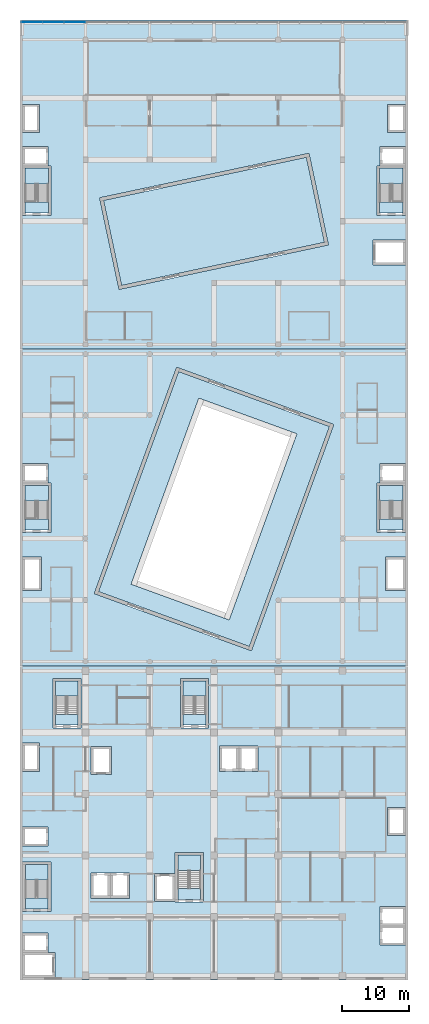
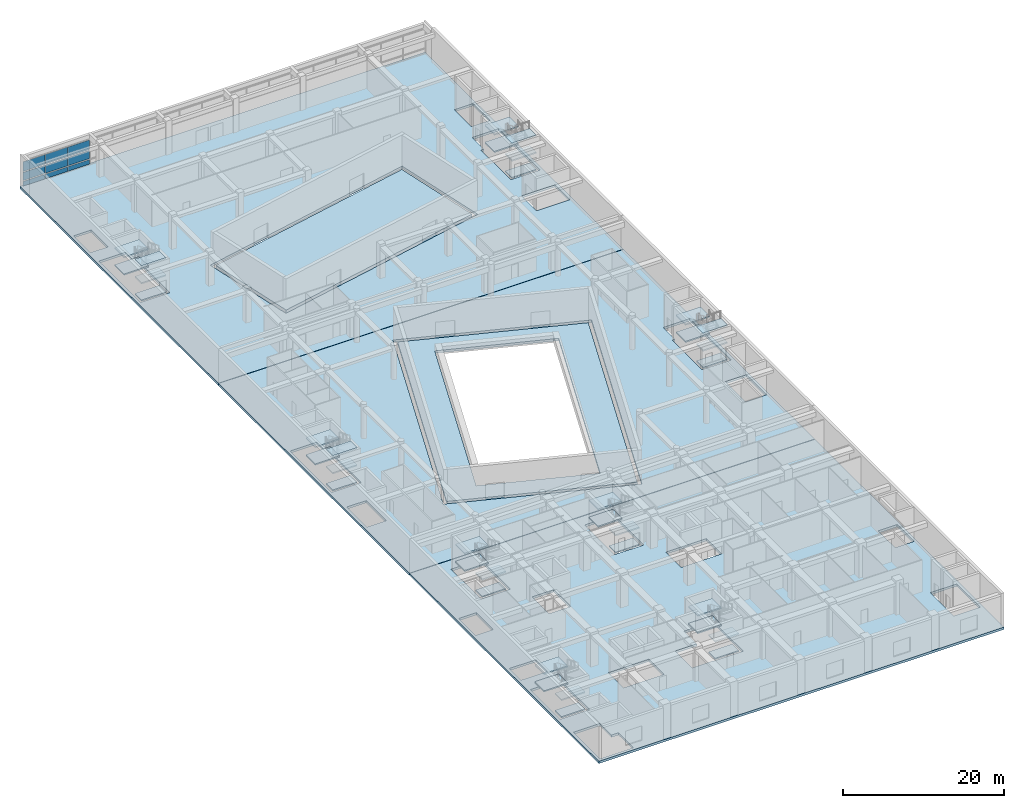
# One storey, part 6 of 31: 41 slabs, 9 plates, 9 elements without a shape of their own.
"""IFC4 building model written with IfcOpenShell, lengths in metres."""

import ifcopenshell
import ifcopenshell.guid

model = None  # the IFC model being written
_history = None  # IfcOwnerHistory: only IFC2X3 demands one
_inside = {}  # id of a spatial element -> (the spatial element, [elements in it])
_under = {}  # id of a project, library or spatial element -> (it, [spatial elements below it])
_declared = {}  # id of a project -> (the project, [libraries it declares])
_typed = {}  # id of a type object -> (the type object, [elements of that type])
_made_of = {}  # id of a material, layer set ... -> (it, [elements and type objects made of it])


def new_model(schema):
    """Start an empty IFC model of exactly this schema.

    Asked for "IFC4X3", IfcOpenShell would pick the latest addendum, in which some entities
    have other attributes; the version numbers below select the first issue.
    IFC2X3 requires an IfcOwnerHistory on every rooted entity: one is made here for all.
    """
    global model, _history
    if schema == "IFC4X3":
        model = ifcopenshell.file(schema_version=(4, 3, 0, 0))
    else:
        model = ifcopenshell.file(schema=schema)
    _inside.clear()
    _under.clear()
    _declared.clear()
    _typed.clear()
    _made_of.clear()
    _history = None
    if model.schema == "IFC2X3":
        org = make("IfcOrganization", Name="unknown")
        user = make(
            "IfcPersonAndOrganization",
            ThePerson=make("IfcPerson", FamilyName="unknown"),
            TheOrganization=org,
        )
        app = make(
            "IfcApplication",
            ApplicationDeveloper=org,
            Version="unknown",
            ApplicationFullName="unknown",
            ApplicationIdentifier="unknown",
        )
        _history = make(
            "IfcOwnerHistory",
            OwningUser=user,
            OwningApplication=app,
            ChangeAction="ADDED",
            CreationDate=0,
        )
    return model


def make(cls, **values):
    """One entity of the class cls with the attributes given. An attribute that is None is left unset."""
    return model.create_entity(
        cls, **{name: value for name, value in values.items() if value is not None}
    )


def rooted(cls, **values):
    """An entity with a GlobalId (a new one), such as an element, a storey or a relation."""
    return make(cls, GlobalId=ifcopenshell.guid.new(), OwnerHistory=_history, **values)


def si_unit(unit_type, name, prefix=None):
    """IfcSIUnit, for example si_unit("LENGTHUNIT", "METRE", prefix="MILLI")."""
    return make("IfcSIUnit", UnitType=unit_type, Prefix=prefix, Name=name)


def assignment(units):
    """IfcUnitAssignment: the units of a project."""
    return None if units is None else make("IfcUnitAssignment", Units=units)


def point(xyz):
    """IfcCartesianPoint."""
    return None if xyz is None else make("IfcCartesianPoint", Coordinates=xyz)


def direction(xyz):
    """IfcDirection."""
    return None if xyz is None else make("IfcDirection", DirectionRatios=xyz)


def frame(location, z_axis=None, x_axis=None):
    """IfcAxis2Placement3D, a coordinate frame: its origin and axes. An axis left out is left unset."""
    return make(
        "IfcAxis2Placement3D",
        Location=point(location),
        Axis=direction(z_axis),
        RefDirection=direction(x_axis),
    )


def frame_2d(location, x_axis=None):
    """IfcAxis2Placement2D, a coordinate frame in the plane: its origin and x axis."""
    return make(
        "IfcAxis2Placement2D", Location=point(location), RefDirection=direction(x_axis)
    )


def origin():
    """The frame at (0, 0, 0) with its axes left unset."""
    return frame((0.0, 0.0, 0.0))


def origin_2d():
    """The frame at (0, 0) in the plane with its x axis left unset."""
    return frame_2d((0.0, 0.0))


def place(relative_to, where):
    """IfcLocalPlacement: puts the frame where relative to a parent placement (None: the world)."""
    return make(
        "IfcLocalPlacement", PlacementRelTo=relative_to, RelativePlacement=where
    )


def context(
    kind, dimensions, precision=None, world=None, true_north=None, identifier=None
):
    """IfcGeometricRepresentationContext, for example the 3D "Model" context."""
    return make(
        "IfcGeometricRepresentationContext",
        ContextIdentifier=identifier,
        ContextType=kind,
        CoordinateSpaceDimension=dimensions,
        Precision=precision,
        WorldCoordinateSystem=world,
        TrueNorth=true_north,
    )


def subcontext(parent, identifier, kind, view, scale=None):
    """IfcGeometricRepresentationSubContext, for example "Body" below "Model"."""
    return make(
        "IfcGeometricRepresentationSubContext",
        ContextIdentifier=identifier,
        ContextType=kind,
        ParentContext=parent,
        TargetScale=scale,
        TargetView=view,
    )


def project(units=None, contexts=None):
    """IfcProject with its units and contexts."""
    return rooted(
        "IfcProject",
        Name="project",
        RepresentationContexts=contexts,
        UnitsInContext=assignment(units),
    )


def spatial(cls, under=None, at=None, **own):
    """A site, building, storey or space (cls), placed at a placement, below another one or the project."""
    s = rooted(cls, ObjectPlacement=at, **own)
    if under is not None:
        _under.setdefault(under.id(), (under, []))[1].append(s)
    return s


def polyline(points):
    """IfcPolyline through the points."""
    return make("IfcPolyline", Points=[point(p) for p in points])


def profile(cls, at=None, kind="AREA", **sizes):
    """A parametric profile (cls). Its sizes go by their IFC names, for example OverallWidth=200.0."""
    return make(cls, ProfileType=kind, Position=at, **sizes)


def rectangle(**sizes):
    """IfcRectangleProfileDef."""
    return profile("IfcRectangleProfileDef", **sizes)


def outline(outer, holes=None, kind="AREA"):
    """IfcArbitraryClosedProfileDef: a profile drawn as a closed curve; with holes, ...WithVoids."""
    if holes is None:
        return make("IfcArbitraryClosedProfileDef", ProfileType=kind, OuterCurve=outer)
    return make(
        "IfcArbitraryProfileDefWithVoids",
        ProfileType=kind,
        OuterCurve=outer,
        InnerCurves=holes,
    )


def extrude(swept, where, along, depth):
    """IfcExtrudedAreaSolid: the profile swept, set in the frame where, extruded along a direction by depth."""
    return make(
        "IfcExtrudedAreaSolid",
        SweptArea=swept,
        Position=where,
        ExtrudedDirection=direction(along),
        Depth=depth,
    )


def shape(context_of_items, identifier, shape_type, items):
    """IfcShapeRepresentation: the items that make up one representation, for example the "Body"."""
    return make(
        "IfcShapeRepresentation",
        ContextOfItems=context_of_items,
        RepresentationIdentifier=identifier,
        RepresentationType=shape_type,
        Items=items,
    )


def material(Name=None, Category=None):
    """IfcMaterial."""
    return make("IfcMaterial", Name=Name, Category=Category)


def layer(
    of_material, thickness, ventilated=None, Name=None, Category=None, Priority=None
):
    """IfcMaterialLayer: one layer of a wall or slab, of a material (None: an air gap)."""
    return make(
        "IfcMaterialLayer",
        Material=of_material,
        LayerThickness=thickness,
        IsVentilated=ventilated,
        Name=Name,
        Category=Category,
        Priority=Priority,
    )


def layer_set(layers, Name=None):
    """IfcMaterialLayerSet."""
    return make("IfcMaterialLayerSet", MaterialLayers=layers, LayerSetName=Name)


def made_of(thing, what):
    """Note that an element or type object is made of a material, layer set ...; save() writes the relation."""
    if what is not None:
        _made_of.setdefault(what.id(), (what, []))[1].append(thing)
    return thing


def type_object(cls, material=None, **own):
    """A type object (cls), such as IfcWallType, which elements share."""
    return made_of(rooted(cls, **own), material)


def element(
    cls,
    number,
    at=None,
    inside=None,
    cuts=None,
    type_object=None,
    material=None,
    context=None,
    identifier="Body",
    shape_type=None,
    held_by="IfcProductDefinitionShape",
    body=None,
    shapes=None,
    **own,
):
    """One element of the class cls, such as IfcWall. Its Tag is "e" and its number.

    at: its placement. inside: the storey or other place that contains it. cuts: it is an
    opening in that element (IfcRelVoidsElement). A single representation is given by context,
    identifier, shape_type and body (its items); several are given by shapes. held_by: the class
    of the entity that holds the representations. save() writes the other relations.
    """
    e = rooted(cls, Tag="e%d" % number, ObjectPlacement=at, **own)
    if body is not None:
        shapes = [shape(context, identifier, shape_type, body)]
    if shapes is not None:
        e.Representation = make(held_by, Representations=shapes)
    if inside is not None:
        _inside.setdefault(inside.id(), (inside, []))[1].append(e)
    if cuts is not None:
        rooted(
            "IfcRelVoidsElement", RelatingBuildingElement=cuts, RelatedOpeningElement=e
        )
    if type_object is not None:
        _typed.setdefault(type_object.id(), (type_object, []))[1].append(e)
    return made_of(e, material)


def aggregate(whole, parts):
    """IfcRelAggregates: a whole, such as a stair, and the parts it consists of."""
    return rooted("IfcRelAggregates", RelatingObject=whole, RelatedObjects=parts)


def save(model, path):
    """Write the relations noted so far, then the file.

    IfcRelAggregates (storeys below a building ...), IfcRelContainedInSpatialStructure (elements
    in a storey), IfcRelDefinesByType, IfcRelAssociatesMaterial and IfcRelDeclares: one each for
    every whole, place, type object, material and project.
    """
    for whole, parts in _under.values():
        aggregate(whole, parts)
    for where, things in _inside.values():
        rooted(
            "IfcRelContainedInSpatialStructure",
            RelatedElements=things,
            RelatingStructure=where,
        )
    for kind, things in _typed.values():
        rooted("IfcRelDefinesByType", RelatedObjects=things, RelatingType=kind)
    for what, things in _made_of.values():
        rooted("IfcRelAssociatesMaterial", RelatedObjects=things, RelatingMaterial=what)
    for by, libraries in _declared.values():
        rooted("IfcRelDeclares", RelatingContext=by, RelatedDefinitions=libraries)
    model.write(path)


model = new_model("IFC4")

# Units and contexts
model_context = context("Model", 3, precision=1e-05, world=origin(), true_north=direction((0.0, 1.0)))
body_context = subcontext(model_context, "Body", "Model", "MODEL_VIEW")
ifc_project = project(units=[si_unit("LENGTHUNIT", "METRE"), si_unit("AREAUNIT", "SQUARE_METRE"), si_unit("VOLUMEUNIT", "CUBIC_METRE"), si_unit("PLANEANGLEUNIT", "RADIAN"), si_unit("MASSUNIT", "GRAM", prefix="KILO")], contexts=[model_context])

# Site, building, storey
site_placement = place(None, origin())
site = spatial("IfcSite", under=ifc_project, at=site_placement, CompositionType="ELEMENT")
building_placement = place(site_placement, origin())
building = spatial("IfcBuilding", under=site, at=building_placement, Name="Nzadi Deep Aquarium and Research Tower", CompositionType="ELEMENT")
storey_placement = place(building_placement, frame((0.0, 0.0, 26.699951171875)))
storey = spatial("IfcBuildingStorey", under=building, at=storey_placement, Name="L04", CompositionType="ELEMENT", Elevation=26.699951171875)

# Curtain wall, plates
ifc_material_1 = material(Name="Aluminium unitised frame tall span", Category="aluminium")
ifc_layer_1 = layer(ifc_material_1, 0.35009765625)
ifc_layer_set_1 = layer_set([ifc_layer_1], Name="Aluminium unitised frame tall span")
curtain_wall_type = type_object("IfcCurtainWallType", Name="Curtain wall Podium 350", PredefinedType="NOTDEFINED", material=ifc_layer_set_1)
curtain_wall_placement = place(storey_placement, origin())
curtain_wall = element("IfcCurtainWall", 1, at=curtain_wall_placement, inside=storey, type_object=curtain_wall_type, Name="North cascade curtain wall L04", PredefinedType="NOTDEFINED")
ifc_material_2 = material(Name="Glass, clear low-iron", Category="glass")
ifc_layer_2 = layer(ifc_material_2, 0.0400390625)
ifc_layer_set_2 = layer_set([ifc_layer_2], Name="Glass, clear low-iron")
plate_type_1 = type_object("IfcPlateType", Name="Glazing panel 40 Podium", PredefinedType="CURTAIN_PANEL", material=ifc_layer_set_2)
plate_1_placement = place(storey_placement, frame((1.614990234375, 142.97509765625, 0.97021484375), z_axis=(0.0, 0.0, 1.0), x_axis=(1.0, 0.0, 0.0)))
plate_1 = element("IfcPlate", 2, at=plate_1_placement, type_object=plate_type_1, Name="CW256 panel 1.2", PredefinedType="CURTAIN_PANEL", context=body_context, shape_type="SweptSolid", body=[
    extrude(rectangle(XDim=3.110107421875, YDim=0.0400390625, at=origin_2d()), origin(), (0.0, 0.0, 1.0), 1.235107421875),
])
plate_2_placement = place(storey_placement, frame((1.614990234375, 142.97509765625, 2.34521484375), z_axis=(0.0, 0.0, 1.0), x_axis=(1.0, 0.0, 0.0)))
plate_2 = element("IfcPlate", 3, at=plate_2_placement, type_object=plate_type_1, Name="CW256 panel 1.3", PredefinedType="CURTAIN_PANEL", context=body_context, shape_type="SweptSolid", body=[
    extrude(rectangle(XDim=3.110107421875, YDim=0.0400390625, at=origin_2d()), origin(), (0.0, 0.0, 1.0), 1.465087890625),
])
plate_3_placement = place(storey_placement, frame((4.800048828125, 142.97509765625, 0.97021484375), z_axis=(0.0, 0.0, 1.0), x_axis=(1.0, 0.0, 0.0)))
plate_3 = element("IfcPlate", 4, at=plate_3_placement, type_object=plate_type_1, Name="CW256 panel 2.2", PredefinedType="CURTAIN_PANEL", context=body_context, shape_type="SweptSolid", body=[
    extrude(rectangle(XDim=3.139892578125, YDim=0.0400390625, at=origin_2d()), origin(), (0.0, 0.0, 1.0), 1.235107421875),
])
plate_4_placement = place(storey_placement, frame((4.800048828125, 142.97509765625, 2.34521484375), z_axis=(0.0, 0.0, 1.0), x_axis=(1.0, 0.0, 0.0)))
plate_4 = element("IfcPlate", 5, at=plate_4_placement, type_object=plate_type_1, Name="CW256 panel 2.3", PredefinedType="CURTAIN_PANEL", context=body_context, shape_type="SweptSolid", body=[
    extrude(rectangle(XDim=3.139892578125, YDim=0.0400390625, at=origin_2d()), origin(), (0.0, 0.0, 1.0), 1.465087890625),
])
plate_5_placement = place(storey_placement, frame((8.0, 142.97509765625, 0.97021484375), z_axis=(0.0, 0.0, 1.0), x_axis=(1.0, 0.0, 0.0)))
plate_5 = element("IfcPlate", 6, at=plate_5_placement, type_object=plate_type_1, Name="CW256 panel 3.2", PredefinedType="CURTAIN_PANEL", context=body_context, shape_type="SweptSolid", body=[
    extrude(rectangle(XDim=3.139892578125, YDim=0.0400390625, at=origin_2d()), origin(), (0.0, 0.0, 1.0), 1.235107421875),
])
plate_6_placement = place(storey_placement, frame((8.0, 142.97509765625, 2.34521484375), z_axis=(0.0, 0.0, 1.0), x_axis=(1.0, 0.0, 0.0)))
plate_6 = element("IfcPlate", 7, at=plate_6_placement, type_object=plate_type_1, Name="CW256 panel 3.3", PredefinedType="CURTAIN_PANEL", context=body_context, shape_type="SweptSolid", body=[
    extrude(rectangle(XDim=3.139892578125, YDim=0.0400390625, at=origin_2d()), origin(), (0.0, 0.0, 1.0), 1.465087890625),
])

# Stair, slabs
ifc_material_3 = material(Name="Concrete C35/45", Category="concrete")
stair_type = type_object("IfcStairType", Name="STAIR RETURN 3000", PredefinedType="NOTDEFINED", material=ifc_material_3)
stair_1_placement = place(storey_placement, origin())
stair_1 = element("IfcStair", 8, at=stair_1_placement, inside=storey, type_object=stair_type, Name="Stair ST-Z1-SW L04", PredefinedType="DOUBLE_RETURN_STAIR")
ifc_material_4 = material(Name="Concrete C35/45", Category="concrete")
ifc_layer_3 = layer(ifc_material_4, 0.199951171875)
ifc_layer_set_3 = layer_set([ifc_layer_3], Name="Concrete C35/45")
slab_type_1 = type_object("IfcSlabType", Name="LANDING 200", PredefinedType="LANDING", material=ifc_layer_set_3)
slab_1_placement = place(storey_placement, frame((0.0, 0.0, -0.199951171875)))
slab_1 = element("IfcSlab", 9, at=slab_1_placement, type_object=slab_type_1, Name="ST-Z1-SW landing 1", PredefinedType="LANDING", context=body_context, shape_type="SweptSolid", body=[
    extrude(outline(polyline([(0.60009765625, 10.449951171875), (4.0, 10.449951171875), (4.0, 12.070068359375), (0.60009765625, 12.070068359375), (0.60009765625, 10.449951171875)])), origin(), (0.0, 0.0, 1.0), 0.199951171875),
])
slab_2_placement = place(storey_placement, frame((0.0, 0.0, 1.10009765625)))
slab_2 = element("IfcSlab", 10, at=slab_2_placement, type_object=slab_type_1, Name="ST-Z1-SW landing 2", PredefinedType="LANDING", context=body_context, shape_type="SweptSolid", body=[
    extrude(outline(polyline([(0.60009765625, 14.77001953125), (4.0, 14.77001953125), (4.0, 17.050048828125), (0.60009765625, 17.050048828125), (0.60009765625, 14.77001953125)])), origin(), (0.0, 0.0, 1.0), 0.199951171875),
])
slab_3_placement = place(storey_placement, frame((0.0, 0.0, 2.400146484375)))
slab_3 = element("IfcSlab", 11, at=slab_3_placement, type_object=slab_type_1, Name="ST-Z1-SW landing 3", PredefinedType="LANDING", context=body_context, shape_type="SweptSolid", body=[
    extrude(outline(polyline([(0.60009765625, 10.449951171875), (4.0, 10.449951171875), (4.0, 12.070068359375), (0.60009765625, 12.070068359375), (0.60009765625, 10.449951171875)])), origin(), (0.0, 0.0, 1.0), 0.199951171875),
])
slab_4_placement = place(storey_placement, frame((0.0, 0.0, 3.699951171875)))
slab_4 = element("IfcSlab", 12, at=slab_4_placement, type_object=slab_type_1, Name="ST-Z1-SW landing 4", PredefinedType="LANDING", context=body_context, shape_type="SweptSolid", body=[
    extrude(outline(polyline([(0.60009765625, 14.77001953125), (4.0, 14.77001953125), (4.0, 17.050048828125), (0.60009765625, 17.050048828125), (0.60009765625, 14.77001953125)])), origin(), (0.0, 0.0, 1.0), 0.2001953125),
])
aggregate(stair_1, [slab_1, slab_2, slab_3, slab_4])

stair_2_placement = place(storey_placement, origin())
stair_2 = element("IfcStair", 13, at=stair_2_placement, inside=storey, type_object=stair_type, Name="Stair ST-Z1-SE L04", PredefinedType="DOUBLE_RETURN_STAIR")
slab_5_placement = place(storey_placement, frame((0.0, 0.0, -0.199951171875)))
slab_5 = element("IfcSlab", 14, at=slab_5_placement, type_object=slab_type_1, Name="ST-Z1-SE landing 1", PredefinedType="LANDING", context=body_context, shape_type="SweptSolid", body=[
    extrude(outline(polyline([(23.39990234375, 11.85009765625), (26.800048828125, 11.85009765625), (26.800048828125, 13.469970703125), (23.39990234375, 13.469970703125), (23.39990234375, 11.85009765625)])), origin(), (0.0, 0.0, 1.0), 0.199951171875),
])
slab_6_placement = place(storey_placement, frame((0.0, 0.0, 1.10009765625)))
slab_6 = element("IfcSlab", 15, at=slab_6_placement, type_object=slab_type_1, Name="ST-Z1-SE landing 2", PredefinedType="LANDING", context=body_context, shape_type="SweptSolid", body=[
    extrude(outline(polyline([(23.39990234375, 16.169921875), (26.800048828125, 16.169921875), (26.800048828125, 18.449951171875), (23.39990234375, 18.449951171875), (23.39990234375, 16.169921875)])), origin(), (0.0, 0.0, 1.0), 0.199951171875),
])
slab_7_placement = place(storey_placement, frame((0.0, 0.0, 2.400146484375)))
slab_7 = element("IfcSlab", 16, at=slab_7_placement, type_object=slab_type_1, Name="ST-Z1-SE landing 3", PredefinedType="LANDING", context=body_context, shape_type="SweptSolid", body=[
    extrude(outline(polyline([(23.39990234375, 11.85009765625), (26.800048828125, 11.85009765625), (26.800048828125, 13.469970703125), (23.39990234375, 13.469970703125), (23.39990234375, 11.85009765625)])), origin(), (0.0, 0.0, 1.0), 0.199951171875),
])
slab_8_placement = place(storey_placement, frame((0.0, 0.0, 3.699951171875)))
slab_8 = element("IfcSlab", 17, at=slab_8_placement, type_object=slab_type_1, Name="ST-Z1-SE landing 4", PredefinedType="LANDING", context=body_context, shape_type="SweptSolid", body=[
    extrude(outline(polyline([(23.39990234375, 16.169921875), (26.800048828125, 16.169921875), (26.800048828125, 18.449951171875), (23.39990234375, 18.449951171875), (23.39990234375, 16.169921875)])), origin(), (0.0, 0.0, 1.0), 0.2001953125),
])
aggregate(stair_2, [slab_5, slab_6, slab_7, slab_8])

stair_3_placement = place(storey_placement, origin())
stair_3 = element("IfcStair", 18, at=stair_3_placement, inside=storey, type_object=stair_type, Name="Stair ST-Z1-NW L04", PredefinedType="DOUBLE_RETURN_STAIR")
slab_9_placement = place(storey_placement, frame((0.0, 0.0, -0.199951171875)))
slab_9 = element("IfcSlab", 19, at=slab_9_placement, type_object=slab_type_1, Name="ST-Z1-NW landing 1", PredefinedType="LANDING", context=body_context, shape_type="SweptSolid", body=[
    extrude(outline(polyline([(5.10009765625, 37.89990234375), (8.5, 37.89990234375), (8.5, 39.52001953125), (5.10009765625, 39.52001953125), (5.10009765625, 37.89990234375)])), origin(), (0.0, 0.0, 1.0), 0.199951171875),
])
slab_10_placement = place(storey_placement, frame((0.0, 0.0, 1.10009765625)))
slab_10 = element("IfcSlab", 20, at=slab_10_placement, type_object=slab_type_1, Name="ST-Z1-NW landing 2", PredefinedType="LANDING", context=body_context, shape_type="SweptSolid", body=[
    extrude(outline(polyline([(5.10009765625, 42.219970703125), (8.5, 42.219970703125), (8.5, 44.5), (5.10009765625, 44.5), (5.10009765625, 42.219970703125)])), origin(), (0.0, 0.0, 1.0), 0.199951171875),
])
slab_11_placement = place(storey_placement, frame((0.0, 0.0, 2.400146484375)))
slab_11 = element("IfcSlab", 21, at=slab_11_placement, type_object=slab_type_1, Name="ST-Z1-NW landing 3", PredefinedType="LANDING", context=body_context, shape_type="SweptSolid", body=[
    extrude(outline(polyline([(5.10009765625, 37.89990234375), (8.5, 37.89990234375), (8.5, 39.52001953125), (5.10009765625, 39.52001953125), (5.10009765625, 37.89990234375)])), origin(), (0.0, 0.0, 1.0), 0.199951171875),
])
slab_12_placement = place(storey_placement, frame((0.0, 0.0, 3.699951171875)))
slab_12 = element("IfcSlab", 22, at=slab_12_placement, type_object=slab_type_1, Name="ST-Z1-NW landing 4", PredefinedType="LANDING", context=body_context, shape_type="SweptSolid", body=[
    extrude(outline(polyline([(5.10009765625, 42.219970703125), (8.5, 42.219970703125), (8.5, 44.5), (5.10009765625, 44.5), (5.10009765625, 42.219970703125)])), origin(), (0.0, 0.0, 1.0), 0.2001953125),
])
aggregate(stair_3, [slab_9, slab_10, slab_11, slab_12])

stair_4_placement = place(storey_placement, origin())
stair_4 = element("IfcStair", 23, at=stair_4_placement, inside=storey, type_object=stair_type, Name="Stair ST-Z1-NE L04", PredefinedType="DOUBLE_RETURN_STAIR")
slab_13_placement = place(storey_placement, frame((0.0, 0.0, -0.199951171875)))
slab_13 = element("IfcSlab", 24, at=slab_13_placement, type_object=slab_type_1, Name="ST-Z1-NE landing 1", PredefinedType="LANDING", context=body_context, shape_type="SweptSolid", body=[
    extrude(outline(polyline([(24.199951171875, 37.89990234375), (27.60009765625, 37.89990234375), (27.60009765625, 39.52001953125), (24.199951171875, 39.52001953125), (24.199951171875, 37.89990234375)])), origin(), (0.0, 0.0, 1.0), 0.199951171875),
])
slab_14_placement = place(storey_placement, frame((0.0, 0.0, 1.10009765625)))
slab_14 = element("IfcSlab", 25, at=slab_14_placement, type_object=slab_type_1, Name="ST-Z1-NE landing 2", PredefinedType="LANDING", context=body_context, shape_type="SweptSolid", body=[
    extrude(outline(polyline([(24.199951171875, 42.219970703125), (27.60009765625, 42.219970703125), (27.60009765625, 44.5), (24.199951171875, 44.5), (24.199951171875, 42.219970703125)])), origin(), (0.0, 0.0, 1.0), 0.199951171875),
])
slab_15_placement = place(storey_placement, frame((0.0, 0.0, 2.400146484375)))
slab_15 = element("IfcSlab", 26, at=slab_15_placement, type_object=slab_type_1, Name="ST-Z1-NE landing 3", PredefinedType="LANDING", context=body_context, shape_type="SweptSolid", body=[
    extrude(outline(polyline([(24.199951171875, 37.89990234375), (27.60009765625, 37.89990234375), (27.60009765625, 39.52001953125), (24.199951171875, 39.52001953125), (24.199951171875, 37.89990234375)])), origin(), (0.0, 0.0, 1.0), 0.199951171875),
])
slab_16_placement = place(storey_placement, frame((0.0, 0.0, 3.699951171875)))
slab_16 = element("IfcSlab", 27, at=slab_16_placement, type_object=slab_type_1, Name="ST-Z1-NE landing 4", PredefinedType="LANDING", context=body_context, shape_type="SweptSolid", body=[
    extrude(outline(polyline([(24.199951171875, 42.219970703125), (27.60009765625, 42.219970703125), (27.60009765625, 44.5), (24.199951171875, 44.5), (24.199951171875, 42.219970703125)])), origin(), (0.0, 0.0, 1.0), 0.2001953125),
])
aggregate(stair_4, [slab_13, slab_14, slab_15, slab_16])

stair_5_placement = place(storey_placement, origin())
stair_5 = element("IfcStair", 28, at=stair_5_placement, inside=storey, type_object=stair_type, Name="Stair ST-Z2-W L04", PredefinedType="DOUBLE_RETURN_STAIR")
slab_17_placement = place(storey_placement, frame((0.0, 0.0, -0.199951171875)))
slab_17 = element("IfcSlab", 29, at=slab_17_placement, type_object=slab_type_1, Name="ST-Z2-W landing 1", PredefinedType="LANDING", context=body_context, shape_type="SweptSolid", body=[
    extrude(outline(polyline([(0.550048828125, 67.050048828125), (4.050048828125, 67.050048828125), (4.050048828125, 68.7099609375), (0.550048828125, 68.7099609375), (0.550048828125, 67.050048828125)])), origin(), (0.0, 0.0, 1.0), 0.199951171875),
])
slab_18_placement = place(storey_placement, frame((0.0, 0.0, 1.10009765625)))
slab_18 = element("IfcSlab", 30, at=slab_18_placement, type_object=slab_type_1, Name="ST-Z2-W landing 2", PredefinedType="LANDING", context=body_context, shape_type="SweptSolid", body=[
    extrude(outline(polyline([(0.550048828125, 71.409912109375), (4.050048828125, 71.409912109375), (4.050048828125, 73.75), (0.550048828125, 73.75), (0.550048828125, 71.409912109375)])), origin(), (0.0, 0.0, 1.0), 0.199951171875),
])
slab_19_placement = place(storey_placement, frame((0.0, 0.0, 2.400146484375)))
slab_19 = element("IfcSlab", 31, at=slab_19_placement, type_object=slab_type_1, Name="ST-Z2-W landing 3", PredefinedType="LANDING", context=body_context, shape_type="SweptSolid", body=[
    extrude(outline(polyline([(0.550048828125, 67.050048828125), (4.050048828125, 67.050048828125), (4.050048828125, 68.7099609375), (0.550048828125, 68.7099609375), (0.550048828125, 67.050048828125)])), origin(), (0.0, 0.0, 1.0), 0.199951171875),
])
slab_20_placement = place(storey_placement, frame((0.0, 0.0, 3.699951171875)))
slab_20 = element("IfcSlab", 32, at=slab_20_placement, type_object=slab_type_1, Name="ST-Z2-W landing 4", PredefinedType="LANDING", context=body_context, shape_type="SweptSolid", body=[
    extrude(outline(polyline([(0.550048828125, 71.409912109375), (4.050048828125, 71.409912109375), (4.050048828125, 73.75), (0.550048828125, 73.75), (0.550048828125, 71.409912109375)])), origin(), (0.0, 0.0, 1.0), 0.2001953125),
])
slab_21_placement = place(storey_placement, frame((0.0, 0.0, 5.0)))
slab_21 = element("IfcSlab", 33, at=slab_21_placement, type_object=slab_type_1, Name="ST-Z2-W landing 5", PredefinedType="LANDING", context=body_context, shape_type="SweptSolid", body=[
    extrude(outline(polyline([(0.550048828125, 67.050048828125), (4.050048828125, 67.050048828125), (4.050048828125, 68.7099609375), (0.550048828125, 68.7099609375), (0.550048828125, 67.050048828125)])), origin(), (0.0, 0.0, 1.0), 0.199951171875),
])
aggregate(stair_5, [slab_17, slab_18, slab_19, slab_20, slab_21])

stair_6_placement = place(storey_placement, origin())
stair_6 = element("IfcStair", 34, at=stair_6_placement, inside=storey, type_object=stair_type, Name="Stair ST-Z2-E L04", PredefinedType="DOUBLE_RETURN_STAIR")
slab_22_placement = place(storey_placement, frame((0.0, 0.0, -0.199951171875)))
slab_22 = element("IfcSlab", 35, at=slab_22_placement, type_object=slab_type_1, Name="ST-Z2-E landing 1", PredefinedType="LANDING", context=body_context, shape_type="SweptSolid", body=[
    extrude(outline(polyline([(57.050048828125, 68.7099609375), (53.550048828125, 68.7099609375), (53.550048828125, 67.050048828125), (57.050048828125, 67.050048828125), (57.050048828125, 68.7099609375)])), origin(), (0.0, 0.0, 1.0), 0.199951171875),
])
slab_23_placement = place(storey_placement, frame((0.0, 0.0, 1.10009765625)))
slab_23 = element("IfcSlab", 36, at=slab_23_placement, type_object=slab_type_1, Name="ST-Z2-E landing 2", PredefinedType="LANDING", context=body_context, shape_type="SweptSolid", body=[
    extrude(outline(polyline([(57.050048828125, 73.75), (53.550048828125, 73.75), (53.550048828125, 71.409912109375), (57.050048828125, 71.409912109375), (57.050048828125, 73.75)])), origin(), (0.0, 0.0, 1.0), 0.199951171875),
])
slab_24_placement = place(storey_placement, frame((0.0, 0.0, 2.400146484375)))
slab_24 = element("IfcSlab", 37, at=slab_24_placement, type_object=slab_type_1, Name="ST-Z2-E landing 3", PredefinedType="LANDING", context=body_context, shape_type="SweptSolid", body=[
    extrude(outline(polyline([(57.050048828125, 68.7099609375), (53.550048828125, 68.7099609375), (53.550048828125, 67.050048828125), (57.050048828125, 67.050048828125), (57.050048828125, 68.7099609375)])), origin(), (0.0, 0.0, 1.0), 0.199951171875),
])
slab_25_placement = place(storey_placement, frame((0.0, 0.0, 3.699951171875)))
slab_25 = element("IfcSlab", 38, at=slab_25_placement, type_object=slab_type_1, Name="ST-Z2-E landing 4", PredefinedType="LANDING", context=body_context, shape_type="SweptSolid", body=[
    extrude(outline(polyline([(57.050048828125, 73.75), (53.550048828125, 73.75), (53.550048828125, 71.409912109375), (57.050048828125, 71.409912109375), (57.050048828125, 73.75)])), origin(), (0.0, 0.0, 1.0), 0.2001953125),
])
slab_26_placement = place(storey_placement, frame((0.0, 0.0, 5.0)))
slab_26 = element("IfcSlab", 39, at=slab_26_placement, type_object=slab_type_1, Name="ST-Z2-E landing 5", PredefinedType="LANDING", context=body_context, shape_type="SweptSolid", body=[
    extrude(outline(polyline([(57.050048828125, 68.7099609375), (53.550048828125, 68.7099609375), (53.550048828125, 67.050048828125), (57.050048828125, 67.050048828125), (57.050048828125, 68.7099609375)])), origin(), (0.0, 0.0, 1.0), 0.199951171875),
])
aggregate(stair_6, [slab_22, slab_23, slab_24, slab_25, slab_26])

stair_7_placement = place(storey_placement, origin())
stair_7 = element("IfcStair", 40, at=stair_7_placement, inside=storey, type_object=stair_type, Name="Stair ST-Z3-W L04", PredefinedType="DOUBLE_RETURN_STAIR")
slab_27_placement = place(storey_placement, frame((0.0, 0.0, -0.199951171875)))
slab_27 = element("IfcSlab", 41, at=slab_27_placement, type_object=slab_type_1, Name="ST-Z3-W landing 1", PredefinedType="LANDING", context=body_context, shape_type="SweptSolid", body=[
    extrude(outline(polyline([(0.550048828125, 114.449951171875), (4.050048828125, 114.449951171875), (4.050048828125, 116.110107421875), (0.550048828125, 116.110107421875), (0.550048828125, 114.449951171875)])), origin(), (0.0, 0.0, 1.0), 0.199951171875),
])
slab_28_placement = place(storey_placement, frame((0.0, 0.0, 1.10009765625)))
slab_28 = element("IfcSlab", 42, at=slab_28_placement, type_object=slab_type_1, Name="ST-Z3-W landing 2", PredefinedType="LANDING", context=body_context, shape_type="SweptSolid", body=[
    extrude(outline(polyline([(0.550048828125, 118.81005859375), (4.050048828125, 118.81005859375), (4.050048828125, 121.14990234375), (0.550048828125, 121.14990234375), (0.550048828125, 118.81005859375)])), origin(), (0.0, 0.0, 1.0), 0.199951171875),
])
slab_29_placement = place(storey_placement, frame((0.0, 0.0, 2.400146484375)))
slab_29 = element("IfcSlab", 43, at=slab_29_placement, type_object=slab_type_1, Name="ST-Z3-W landing 3", PredefinedType="LANDING", context=body_context, shape_type="SweptSolid", body=[
    extrude(outline(polyline([(0.550048828125, 114.449951171875), (4.050048828125, 114.449951171875), (4.050048828125, 116.110107421875), (0.550048828125, 116.110107421875), (0.550048828125, 114.449951171875)])), origin(), (0.0, 0.0, 1.0), 0.199951171875),
])
slab_30_placement = place(storey_placement, frame((0.0, 0.0, 3.699951171875)))
slab_30 = element("IfcSlab", 44, at=slab_30_placement, type_object=slab_type_1, Name="ST-Z3-W landing 4", PredefinedType="LANDING", context=body_context, shape_type="SweptSolid", body=[
    extrude(outline(polyline([(0.550048828125, 118.81005859375), (4.050048828125, 118.81005859375), (4.050048828125, 121.14990234375), (0.550048828125, 121.14990234375), (0.550048828125, 118.81005859375)])), origin(), (0.0, 0.0, 1.0), 0.2001953125),
])
slab_31_placement = place(storey_placement, frame((0.0, 0.0, 5.0)))
slab_31 = element("IfcSlab", 45, at=slab_31_placement, type_object=slab_type_1, Name="ST-Z3-W landing 5", PredefinedType="LANDING", context=body_context, shape_type="SweptSolid", body=[
    extrude(outline(polyline([(0.550048828125, 114.449951171875), (4.050048828125, 114.449951171875), (4.050048828125, 116.110107421875), (0.550048828125, 116.110107421875), (0.550048828125, 114.449951171875)])), origin(), (0.0, 0.0, 1.0), 0.199951171875),
])
aggregate(stair_7, [slab_27, slab_28, slab_29, slab_30, slab_31])

stair_8_placement = place(storey_placement, origin())
stair_8 = element("IfcStair", 46, at=stair_8_placement, inside=storey, type_object=stair_type, Name="Stair ST-Z3-E L04", PredefinedType="DOUBLE_RETURN_STAIR")
slab_32_placement = place(storey_placement, frame((0.0, 0.0, -0.199951171875)))
slab_32 = element("IfcSlab", 47, at=slab_32_placement, type_object=slab_type_1, Name="ST-Z3-E landing 1", PredefinedType="LANDING", context=body_context, shape_type="SweptSolid", body=[
    extrude(outline(polyline([(57.050048828125, 116.110107421875), (53.550048828125, 116.110107421875), (53.550048828125, 114.449951171875), (57.050048828125, 114.449951171875), (57.050048828125, 116.110107421875)])), origin(), (0.0, 0.0, 1.0), 0.199951171875),
])
slab_33_placement = place(storey_placement, frame((0.0, 0.0, 1.10009765625)))
slab_33 = element("IfcSlab", 48, at=slab_33_placement, type_object=slab_type_1, Name="ST-Z3-E landing 2", PredefinedType="LANDING", context=body_context, shape_type="SweptSolid", body=[
    extrude(outline(polyline([(57.050048828125, 121.14990234375), (53.550048828125, 121.14990234375), (53.550048828125, 118.81005859375), (57.050048828125, 118.81005859375), (57.050048828125, 121.14990234375)])), origin(), (0.0, 0.0, 1.0), 0.199951171875),
])
slab_34_placement = place(storey_placement, frame((0.0, 0.0, 2.400146484375)))
slab_34 = element("IfcSlab", 49, at=slab_34_placement, type_object=slab_type_1, Name="ST-Z3-E landing 3", PredefinedType="LANDING", context=body_context, shape_type="SweptSolid", body=[
    extrude(outline(polyline([(57.050048828125, 116.110107421875), (53.550048828125, 116.110107421875), (53.550048828125, 114.449951171875), (57.050048828125, 114.449951171875), (57.050048828125, 116.110107421875)])), origin(), (0.0, 0.0, 1.0), 0.199951171875),
])
slab_35_placement = place(storey_placement, frame((0.0, 0.0, 3.699951171875)))
slab_35 = element("IfcSlab", 50, at=slab_35_placement, type_object=slab_type_1, Name="ST-Z3-E landing 4", PredefinedType="LANDING", context=body_context, shape_type="SweptSolid", body=[
    extrude(outline(polyline([(57.050048828125, 121.14990234375), (53.550048828125, 121.14990234375), (53.550048828125, 118.81005859375), (57.050048828125, 118.81005859375), (57.050048828125, 121.14990234375)])), origin(), (0.0, 0.0, 1.0), 0.2001953125),
])
slab_36_placement = place(storey_placement, frame((0.0, 0.0, 5.0)))
slab_36 = element("IfcSlab", 51, at=slab_36_placement, type_object=slab_type_1, Name="ST-Z3-E landing 5", PredefinedType="LANDING", context=body_context, shape_type="SweptSolid", body=[
    extrude(outline(polyline([(57.050048828125, 116.110107421875), (53.550048828125, 116.110107421875), (53.550048828125, 114.449951171875), (57.050048828125, 114.449951171875), (57.050048828125, 116.110107421875)])), origin(), (0.0, 0.0, 1.0), 0.199951171875),
])
aggregate(stair_8, [slab_32, slab_33, slab_34, slab_35, slab_36])

# Slabs
ifc_material_5 = material(Name="Concrete C35/45", Category="concrete")
ifc_layer_4 = layer(ifc_material_5, 0.35009765625)
ifc_layer_set_4 = layer_set([ifc_layer_4], Name="Concrete C35/45")
slab_type_2 = type_object("IfcSlabType", Name="RC floor slab 350", PredefinedType="FLOOR", material=ifc_layer_set_4)
slab_37_placement = place(storey_placement, frame((0.0, 0.0, -0.349853515625)))
element("IfcSlab", 52, at=slab_37_placement, inside=storey, type_object=slab_type_2, Name="Floor slab Z1 L04", PredefinedType="FLOOR", context=body_context, shape_type="SweptSolid", body=[
    extrude(outline(polyline([(-0.199462890625, -0.199951171875), (57.799560546875, -0.199951171875), (57.799560546875, 46.679931640625), (-0.199462890625, 46.679931640625), (-0.199462890625, -0.199951171875)]), holes=[polyline([(4.39990234375, 17.449951171875), (4.39990234375, 10.050048828125), (0.199951171875, 10.050048828125), (0.199951171875, 17.449951171875), (4.39990234375, 17.449951171875)]), polyline([(19.89990234375, 15.699951171875), (23.0, 15.699951171875), (23.0, 18.85009765625), (27.199951171875, 18.85009765625), (27.199951171875, 11.449951171875), (23.0, 11.449951171875), (23.0, 11.5), (19.89990234375, 11.5), (19.89990234375, 15.699951171875)]), polyline([(4.699951171875, 37.5), (4.699951171875, 44.89990234375), (8.89990234375, 44.89990234375), (8.89990234375, 37.5), (4.699951171875, 37.5)]), polyline([(23.800048828125, 44.89990234375), (28.0, 44.89990234375), (28.0, 37.5), (23.800048828125, 37.5), (23.800048828125, 44.89990234375)]), polyline([(0.199951171875, 0.199951171875), (0.199951171875, 3.89990234375), (0.199951171875, 6.800048828125), (4.0, 6.800048828125), (4.0, 3.89990234375), (5.0, 3.89990234375), (5.0, 0.199951171875), (0.199951171875, 0.199951171875)]), polyline([(0.199951171875, 19.800048828125), (0.199951171875, 22.699951171875), (4.0, 22.699951171875), (4.0, 19.800048828125), (0.199951171875, 19.800048828125)]), polyline([(57.39990234375, 7.89990234375), (57.39990234375, 5.0), (53.60009765625, 5.0), (53.60009765625, 7.89990234375), (53.60009765625, 10.800048828125), (57.39990234375, 10.800048828125), (57.39990234375, 7.89990234375)]), polyline([(2.699951171875, 31.0), (0.199951171875, 31.0), (0.199951171875, 35.199951171875), (2.699951171875, 35.199951171875), (2.699951171875, 31.0)]), polyline([(54.699951171875, 21.39990234375), (54.699951171875, 25.60009765625), (57.39990234375, 25.60009765625), (57.39990234375, 21.39990234375), (54.699951171875, 21.39990234375)]), polyline([(16.199951171875, 15.800048828125), (16.199951171875, 12.0), (13.300048828125, 12.0), (10.39990234375, 12.0), (10.39990234375, 15.800048828125), (13.300048828125, 15.800048828125), (16.199951171875, 15.800048828125)]), polyline([(10.39990234375, 30.5), (10.39990234375, 34.699951171875), (13.5, 34.699951171875), (13.5, 30.5), (10.39990234375, 30.5)]), polyline([(29.60009765625, 34.800048828125), (32.5, 34.800048828125), (35.39990234375, 34.800048828125), (35.39990234375, 31.0), (32.5, 31.0), (29.60009765625, 31.0), (29.60009765625, 34.800048828125)])]), origin(), (0.0, 0.0, 1.0), 0.349853515625),
])
slab_38_placement = place(storey_placement, frame((0.0, 0.0, -0.349853515625)))
element("IfcSlab", 53, at=slab_38_placement, inside=storey, type_object=slab_type_2, Name="Floor slab Z2 L04", PredefinedType="FLOOR", context=body_context, shape_type="SweptSolid", body=[
    extrude(outline(polyline([(57.799560546875, 94.080078125), (-0.199462890625, 94.080078125), (-0.199462890625, 46.719970703125), (57.799560546875, 46.719970703125), (57.799560546875, 94.080078125)]), holes=[polyline([(4.0, 77.0), (4.0, 74.10009765625), (4.39990234375, 74.10009765625), (4.39990234375, 66.699951171875), (0.199951171875, 66.699951171875), (0.199951171875, 74.10009765625), (0.199951171875, 77.0), (4.0, 77.0)]), polyline([(57.39990234375, 77.0), (57.39990234375, 74.10009765625), (57.39990234375, 66.699951171875), (53.199951171875, 66.699951171875), (53.199951171875, 74.10009765625), (53.60009765625, 74.10009765625), (53.60009765625, 77.0), (57.39990234375, 77.0)]), polyline([(0.199951171875, 58.0), (0.199951171875, 63.0), (3.0, 63.0), (3.0, 58.0), (0.199951171875, 58.0)]), polyline([(54.39990234375, 63.0), (57.39990234375, 63.0), (57.39990234375, 58.0), (54.39990234375, 58.0), (54.39990234375, 63.0)]), polyline([(34.389892578125, 49.01025390625), (10.8974609375, 57.560791015625), (23.210205078125, 91.3896484375), (46.70263671875, 82.839111328125), (34.389892578125, 49.01025390625)])]), origin(), (0.0, 0.0, 1.0), 0.349853515625),
])
slab_39_placement = place(storey_placement, frame((0.0, 0.0, -0.349853515625)))
element("IfcSlab", 54, at=slab_39_placement, inside=storey, type_object=slab_type_2, Name="Floor slab Z3 L04", PredefinedType="FLOOR", context=body_context, shape_type="SweptSolid", body=[
    extrude(outline(polyline([(57.799560546875, 94.1201171875), (57.799560546875, 143.300048828125), (-0.199462890625, 143.300048828125), (-0.199462890625, 94.1201171875), (57.799560546875, 94.1201171875)]), holes=[polyline([(0.199951171875, 124.39990234375), (4.0, 124.39990234375), (4.0, 121.5), (4.39990234375, 121.5), (4.39990234375, 114.10009765625), (0.199951171875, 114.10009765625), (0.199951171875, 121.5), (0.199951171875, 124.39990234375)]), polyline([(53.60009765625, 124.39990234375), (57.39990234375, 124.39990234375), (57.39990234375, 121.5), (57.39990234375, 114.10009765625), (53.199951171875, 114.10009765625), (53.199951171875, 121.5), (53.60009765625, 121.5), (53.60009765625, 124.39990234375)]), polyline([(57.39990234375, 106.699951171875), (52.60009765625, 106.699951171875), (52.60009765625, 110.39990234375), (57.39990234375, 110.39990234375), (57.39990234375, 106.699951171875)]), polyline([(0.199951171875, 126.5), (0.199951171875, 130.699951171875), (2.699951171875, 130.699951171875), (2.699951171875, 126.5), (0.199951171875, 126.5)]), polyline([(54.699951171875, 130.699951171875), (57.39990234375, 130.699951171875), (57.39990234375, 126.5), (54.699951171875, 126.5), (54.699951171875, 130.699951171875)]), polyline([(45.90576171875, 109.679443359375), (14.60498046875, 103.0263671875), (11.6943359375, 116.720458984375), (42.994873046875, 123.37353515625), (45.90576171875, 109.679443359375)])]), origin(), (0.0, 0.0, 1.0), 0.349853515625),
])
ifc_material_6 = material(Name="Concrete C40/50", Category="concrete")
ifc_layer_5 = layer(ifc_material_6, 0.35009765625)
ifc_layer_set_5 = layer_set([ifc_layer_5], Name="Concrete C40/50")
slab_type_3 = type_object("IfcSlabType", Name="RC floor slab 350 C40/50", PredefinedType="FLOOR", material=ifc_layer_set_5)
slab_40_placement = place(storey_placement, frame((0.0, 0.0, -0.349853515625)))
element("IfcSlab", 55, at=slab_40_placement, inside=storey, type_object=slab_type_3, Name="Viewing ring L04", PredefinedType="FLOOR", context=body_context, shape_type="SweptSolid", body=[
    extrude(outline(polyline([(23.509033203125, 90.748779296875), (11.538330078125, 57.859619140625), (34.091064453125, 49.651123046875), (46.061767578125, 82.540283203125), (23.509033203125, 90.748779296875)]), holes=[polyline([(31.067626953125, 53.624755859375), (16.408447265625, 58.960205078125), (26.5322265625, 86.775146484375), (41.19140625, 81.439697265625), (31.067626953125, 53.624755859375)])]), origin(), (0.0, 0.0, 1.0), 0.349853515625),
])
ifc_material_7 = material(Name="Concrete C35/45", Category="concrete")
ifc_layer_6 = layer(ifc_material_7, 0.5)
ifc_layer_set_6 = layer_set([ifc_layer_6], Name="Concrete C35/45")
slab_type_4 = type_object("IfcSlabType", Name="RC floor slab 500", PredefinedType="FLOOR", material=ifc_layer_set_6)
slab_41_placement = place(storey_placement, frame((0.0, 0.0, -0.5)))
element("IfcSlab", 56, at=slab_41_placement, inside=storey, type_object=slab_type_4, Name="Blade floor L04", PredefinedType="FLOOR", context=body_context, shape_type="SweptSolid", body=[
    extrude(outline(polyline([(14.990234375, 103.619384765625), (45.312744140625, 110.064697265625), (42.60986328125, 122.780517578125), (12.287353515625, 116.33544921875), (14.990234375, 103.619384765625)])), origin(), (0.0, 0.0, 1.0), 0.5),
])

# Plate
ifc_material_8 = material(Name="Glass spandrel, enamelled", Category="glass")
ifc_layer_7 = layer(ifc_material_8, 0.0400390625)
ifc_layer_set_7 = layer_set([ifc_layer_7], Name="Glass spandrel, enamelled")
plate_type_2 = type_object("IfcPlateType", Name="Spandrel panel 40 Podium", PredefinedType="CURTAIN_PANEL", material=ifc_layer_set_7)
plate_7_placement = place(storey_placement, frame((1.614990234375, 142.97509765625, 0.14013671875), z_axis=(0.0, 0.0, 1.0), x_axis=(1.0, 0.0, 0.0)))
plate_7 = element("IfcPlate", 57, at=plate_7_placement, type_object=plate_type_2, Name="CW256 panel 1.1", PredefinedType="CURTAIN_PANEL", context=body_context, shape_type="SweptSolid", body=[
    extrude(rectangle(XDim=3.110107421875, YDim=0.0400390625, at=origin_2d()), origin(), (0.0, 0.0, 1.0), 0.68994140625),
])

plate_8_placement = place(storey_placement, frame((4.800048828125, 142.97509765625, 0.14013671875), z_axis=(0.0, 0.0, 1.0), x_axis=(1.0, 0.0, 0.0)))
plate_8 = element("IfcPlate", 58, at=plate_8_placement, type_object=plate_type_2, Name="CW256 panel 2.1", PredefinedType="CURTAIN_PANEL", context=body_context, shape_type="SweptSolid", body=[
    extrude(rectangle(XDim=3.139892578125, YDim=0.0400390625, at=origin_2d()), origin(), (0.0, 0.0, 1.0), 0.68994140625),
])

plate_9_placement = place(storey_placement, frame((8.0, 142.97509765625, 0.14013671875), z_axis=(0.0, 0.0, 1.0), x_axis=(1.0, 0.0, 0.0)))
plate_9 = element("IfcPlate", 59, at=plate_9_placement, type_object=plate_type_2, Name="CW256 panel 3.1", PredefinedType="CURTAIN_PANEL", context=body_context, shape_type="SweptSolid", body=[
    extrude(rectangle(XDim=3.139892578125, YDim=0.0400390625, at=origin_2d()), origin(), (0.0, 0.0, 1.0), 0.68994140625),
])

aggregate(curtain_wall, [plate_7, plate_1, plate_2, plate_8, plate_3, plate_4, plate_9, plate_5, plate_6])

save(model, "model.ifc")
